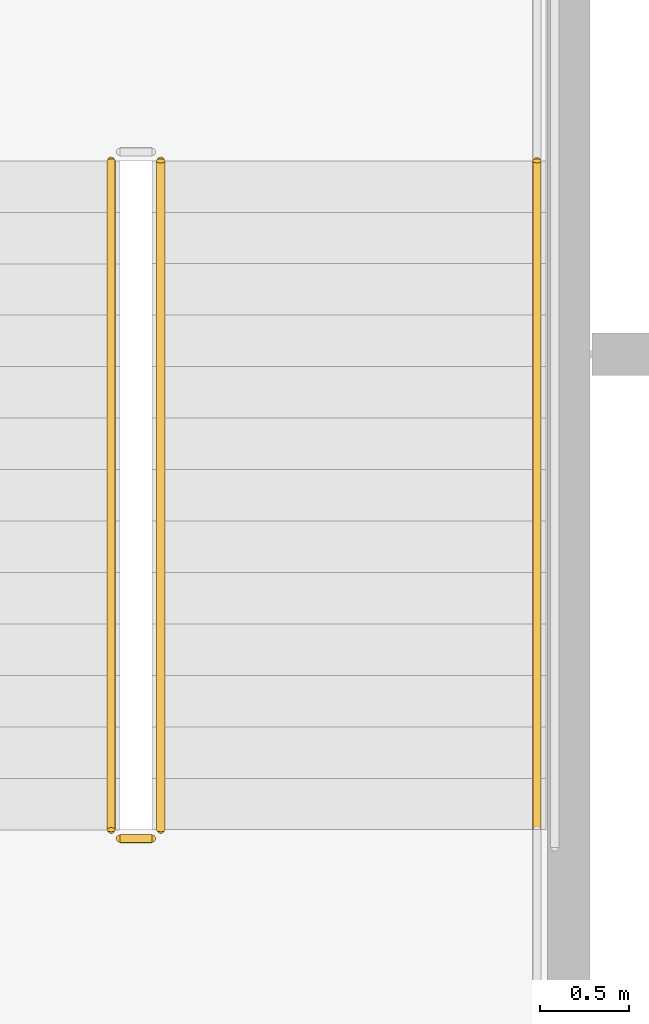
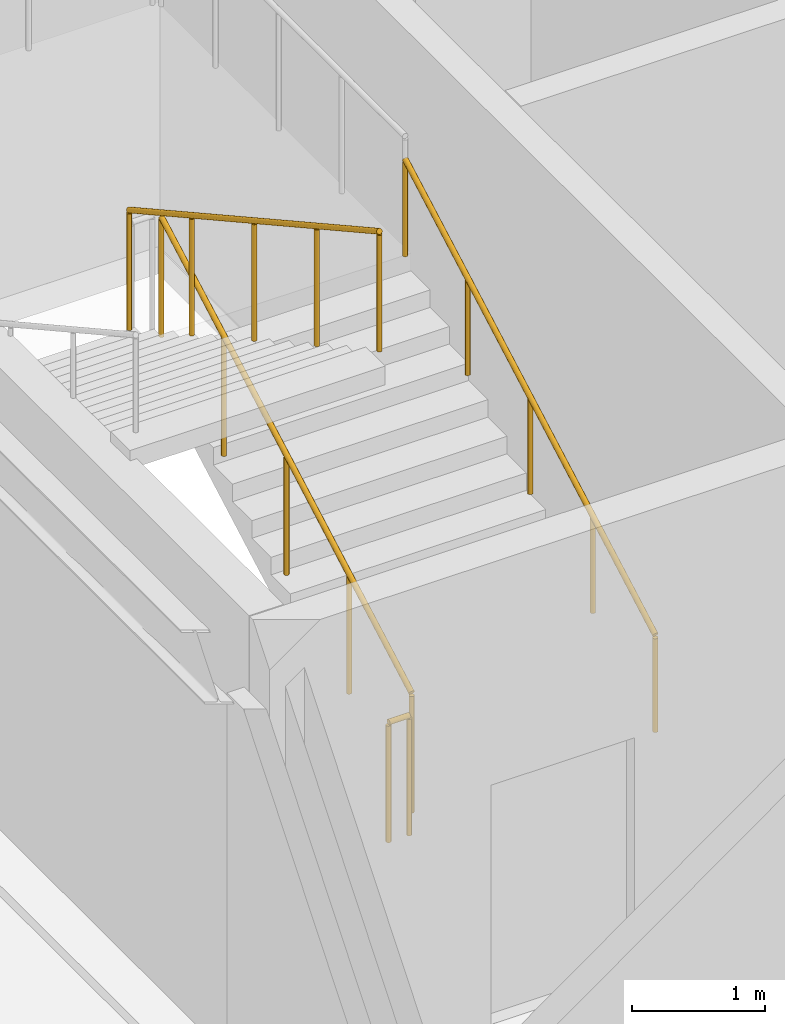
# One storey, part 73 of 77: 4 railings.
"""IFC4 building model written with IfcOpenShell, lengths in metres."""

import ifcopenshell
import ifcopenshell.guid

model = None  # the IFC model being written
_history = None  # IfcOwnerHistory: only IFC2X3 demands one
_inside = {}  # id of a spatial element -> (the spatial element, [elements in it])
_under = {}  # id of a project, library or spatial element -> (it, [spatial elements below it])
_declared = {}  # id of a project -> (the project, [libraries it declares])
_typed = {}  # id of a type object -> (the type object, [elements of that type])
_made_of = {}  # id of a material, layer set ... -> (it, [elements and type objects made of it])


def new_model(schema):
    """Start an empty IFC model of exactly this schema.

    Asked for "IFC4X3", IfcOpenShell would pick the latest addendum, in which some entities
    have other attributes; the version numbers below select the first issue.
    IFC2X3 requires an IfcOwnerHistory on every rooted entity: one is made here for all.
    """
    global model, _history
    if schema == "IFC4X3":
        model = ifcopenshell.file(schema_version=(4, 3, 0, 0))
    else:
        model = ifcopenshell.file(schema=schema)
    _inside.clear()
    _under.clear()
    _declared.clear()
    _typed.clear()
    _made_of.clear()
    _history = None
    if model.schema == "IFC2X3":
        org = make("IfcOrganization", Name="unknown")
        user = make(
            "IfcPersonAndOrganization",
            ThePerson=make("IfcPerson", FamilyName="unknown"),
            TheOrganization=org,
        )
        app = make(
            "IfcApplication",
            ApplicationDeveloper=org,
            Version="unknown",
            ApplicationFullName="unknown",
            ApplicationIdentifier="unknown",
        )
        _history = make(
            "IfcOwnerHistory",
            OwningUser=user,
            OwningApplication=app,
            ChangeAction="ADDED",
            CreationDate=0,
        )
    return model


def make(cls, **values):
    """One entity of the class cls with the attributes given. An attribute that is None is left unset."""
    return model.create_entity(
        cls, **{name: value for name, value in values.items() if value is not None}
    )


def rooted(cls, **values):
    """An entity with a GlobalId (a new one), such as an element, a storey or a relation."""
    return make(cls, GlobalId=ifcopenshell.guid.new(), OwnerHistory=_history, **values)


def si_unit(unit_type, name, prefix=None):
    """IfcSIUnit, for example si_unit("LENGTHUNIT", "METRE", prefix="MILLI")."""
    return make("IfcSIUnit", UnitType=unit_type, Prefix=prefix, Name=name)


def assignment(units):
    """IfcUnitAssignment: the units of a project."""
    return None if units is None else make("IfcUnitAssignment", Units=units)


def point(xyz):
    """IfcCartesianPoint."""
    return None if xyz is None else make("IfcCartesianPoint", Coordinates=xyz)


def direction(xyz):
    """IfcDirection."""
    return None if xyz is None else make("IfcDirection", DirectionRatios=xyz)


def frame(location, z_axis=None, x_axis=None):
    """IfcAxis2Placement3D, a coordinate frame: its origin and axes. An axis left out is left unset."""
    return make(
        "IfcAxis2Placement3D",
        Location=point(location),
        Axis=direction(z_axis),
        RefDirection=direction(x_axis),
    )


def frame_2d(location, x_axis=None):
    """IfcAxis2Placement2D, a coordinate frame in the plane: its origin and x axis."""
    return make(
        "IfcAxis2Placement2D", Location=point(location), RefDirection=direction(x_axis)
    )


def origin():
    """The frame at (0, 0, 0) with its axes left unset."""
    return frame((0.0, 0.0, 0.0))


def origin_2d():
    """The frame at (0, 0) in the plane with its x axis left unset."""
    return frame_2d((0.0, 0.0))


def place(relative_to, where):
    """IfcLocalPlacement: puts the frame where relative to a parent placement (None: the world)."""
    return make(
        "IfcLocalPlacement", PlacementRelTo=relative_to, RelativePlacement=where
    )


def context(
    kind, dimensions, precision=None, world=None, true_north=None, identifier=None
):
    """IfcGeometricRepresentationContext, for example the 3D "Model" context."""
    return make(
        "IfcGeometricRepresentationContext",
        ContextIdentifier=identifier,
        ContextType=kind,
        CoordinateSpaceDimension=dimensions,
        Precision=precision,
        WorldCoordinateSystem=world,
        TrueNorth=true_north,
    )


def subcontext(parent, identifier, kind, view, scale=None):
    """IfcGeometricRepresentationSubContext, for example "Body" below "Model"."""
    return make(
        "IfcGeometricRepresentationSubContext",
        ContextIdentifier=identifier,
        ContextType=kind,
        ParentContext=parent,
        TargetScale=scale,
        TargetView=view,
    )


def project(units=None, contexts=None):
    """IfcProject with its units and contexts."""
    return rooted(
        "IfcProject",
        Name="project",
        RepresentationContexts=contexts,
        UnitsInContext=assignment(units),
    )


def spatial(cls, under=None, at=None, **own):
    """A site, building, storey or space (cls), placed at a placement, below another one or the project."""
    s = rooted(cls, ObjectPlacement=at, **own)
    if under is not None:
        _under.setdefault(under.id(), (under, []))[1].append(s)
    return s


def profile(cls, at=None, kind="AREA", **sizes):
    """A parametric profile (cls). Its sizes go by their IFC names, for example OverallWidth=200.0."""
    return make(cls, ProfileType=kind, Position=at, **sizes)


def circle(**sizes):
    """IfcCircleProfileDef."""
    return profile("IfcCircleProfileDef", **sizes)


def extrude(swept, where, along, depth):
    """IfcExtrudedAreaSolid: the profile swept, set in the frame where, extruded along a direction by depth."""
    return make(
        "IfcExtrudedAreaSolid",
        SweptArea=swept,
        Position=where,
        ExtrudedDirection=direction(along),
        Depth=depth,
    )


def shape(context_of_items, identifier, shape_type, items):
    """IfcShapeRepresentation: the items that make up one representation, for example the "Body"."""
    return make(
        "IfcShapeRepresentation",
        ContextOfItems=context_of_items,
        RepresentationIdentifier=identifier,
        RepresentationType=shape_type,
        Items=items,
    )


def material(Name=None, Category=None):
    """IfcMaterial."""
    return make("IfcMaterial", Name=Name, Category=Category)


def layer(
    of_material, thickness, ventilated=None, Name=None, Category=None, Priority=None
):
    """IfcMaterialLayer: one layer of a wall or slab, of a material (None: an air gap)."""
    return make(
        "IfcMaterialLayer",
        Material=of_material,
        LayerThickness=thickness,
        IsVentilated=ventilated,
        Name=Name,
        Category=Category,
        Priority=Priority,
    )


def layer_set(layers, Name=None):
    """IfcMaterialLayerSet."""
    return make("IfcMaterialLayerSet", MaterialLayers=layers, LayerSetName=Name)


def made_of(thing, what):
    """Note that an element or type object is made of a material, layer set ...; save() writes the relation."""
    if what is not None:
        _made_of.setdefault(what.id(), (what, []))[1].append(thing)
    return thing


def type_object(cls, material=None, **own):
    """A type object (cls), such as IfcWallType, which elements share."""
    return made_of(rooted(cls, **own), material)


def element(
    cls,
    number,
    at=None,
    inside=None,
    cuts=None,
    type_object=None,
    material=None,
    context=None,
    identifier="Body",
    shape_type=None,
    held_by="IfcProductDefinitionShape",
    body=None,
    shapes=None,
    **own,
):
    """One element of the class cls, such as IfcWall. Its Tag is "e" and its number.

    at: its placement. inside: the storey or other place that contains it. cuts: it is an
    opening in that element (IfcRelVoidsElement). A single representation is given by context,
    identifier, shape_type and body (its items); several are given by shapes. held_by: the class
    of the entity that holds the representations. save() writes the other relations.
    """
    e = rooted(cls, Tag="e%d" % number, ObjectPlacement=at, **own)
    if body is not None:
        shapes = [shape(context, identifier, shape_type, body)]
    if shapes is not None:
        e.Representation = make(held_by, Representations=shapes)
    if inside is not None:
        _inside.setdefault(inside.id(), (inside, []))[1].append(e)
    if cuts is not None:
        rooted(
            "IfcRelVoidsElement", RelatingBuildingElement=cuts, RelatedOpeningElement=e
        )
    if type_object is not None:
        _typed.setdefault(type_object.id(), (type_object, []))[1].append(e)
    return made_of(e, material)


def aggregate(whole, parts):
    """IfcRelAggregates: a whole, such as a stair, and the parts it consists of."""
    return rooted("IfcRelAggregates", RelatingObject=whole, RelatedObjects=parts)


def save(model, path):
    """Write the relations noted so far, then the file.

    IfcRelAggregates (storeys below a building ...), IfcRelContainedInSpatialStructure (elements
    in a storey), IfcRelDefinesByType, IfcRelAssociatesMaterial and IfcRelDeclares: one each for
    every whole, place, type object, material and project.
    """
    for whole, parts in _under.values():
        aggregate(whole, parts)
    for where, things in _inside.values():
        rooted(
            "IfcRelContainedInSpatialStructure",
            RelatedElements=things,
            RelatingStructure=where,
        )
    for kind, things in _typed.values():
        rooted("IfcRelDefinesByType", RelatedObjects=things, RelatingType=kind)
    for what, things in _made_of.values():
        rooted("IfcRelAssociatesMaterial", RelatedObjects=things, RelatingMaterial=what)
    for by, libraries in _declared.values():
        rooted("IfcRelDeclares", RelatingContext=by, RelatedDefinitions=libraries)
    model.write(path)


model = new_model("IFC4")

# Units and contexts
model_context = context("Model", 3, precision=1e-05, world=origin(), true_north=direction((0.0, 1.0)))
body_context = subcontext(model_context, "Body", "Model", "MODEL_VIEW")
ifc_project = project(units=[si_unit("LENGTHUNIT", "METRE"), si_unit("AREAUNIT", "SQUARE_METRE"), si_unit("VOLUMEUNIT", "CUBIC_METRE"), si_unit("PLANEANGLEUNIT", "RADIAN"), si_unit("MASSUNIT", "GRAM", prefix="KILO")], contexts=[model_context])

# Site, building, storey
site_placement = place(None, origin())
site = spatial("IfcSite", under=ifc_project, at=site_placement, CompositionType="ELEMENT")
building_placement = place(site_placement, origin())
building = spatial("IfcBuilding", under=site, at=building_placement, Name="Sarnbrook Museum", CompositionType="ELEMENT")
storey_placement = place(building_placement, frame((0.0, 0.0, 5.60009765625)))
storey = spatial("IfcBuildingStorey", under=building, at=storey_placement, Name="L01", CompositionType="ELEMENT", Elevation=5.60009765625)

# Railings
ifc_material = material(Name="Brushed Stainless Steel Grade 316", Category="steel")
ifc_layer_1 = layer(ifc_material, 0.050048828125)
ifc_layer_set_1 = layer_set([ifc_layer_1], Name="Brushed Stainless Steel Grade 316")
railing_type_1 = type_object("IfcRailingType", Name="Guard_Int1120", PredefinedType="BALUSTRADE", material=ifc_layer_set_1)
railing_1_placement = place(storey_placement, frame((83.889892578125, 97.1201171875, 0.16064453125)))
element("IfcRailing", 1, at=railing_1_placement, inside=storey, type_object=railing_type_1, Name="L01 ST4 stair guard 1", PredefinedType="BALUSTRADE", context=body_context, shape_type="SweptSolid", body=[
    extrude(circle(Radius=0.02392578125, at=origin_2d()), frame((0.0, 0.0, 1.09619140625), z_axis=(0.0, 0.874645791573, 0.484762559697), x_axis=(-1.0, 0.0, 0.0)), (0.0, 0.0, 1.0), 4.31005859375),
    extrude(circle(Radius=0.02099609375, at=origin_2d()), origin(), (0.0, 0.0, 1.0), 1.072021484375),
    extrude(circle(Radius=0.02099609375, at=origin_2d()), frame((0.0, 0.9423828125, 0.5224609375)), (0.0, 0.0, 1.0), 1.072021484375),
    extrude(circle(Radius=0.02099609375, at=origin_2d()), frame((0.0, 1.884765625, 1.044677734375)), (0.0, 0.0, 1.0), 1.072021484375),
    extrude(circle(Radius=0.02099609375, at=origin_2d()), frame((0.0, 2.827392578125, 1.56689453125)), (0.0, 0.0, 1.0), 1.072021484375),
    extrude(circle(Radius=0.02099609375, at=origin_2d()), frame((0.0, 3.769775390625, 2.08935546875)), (0.0, 0.0, 1.0), 1.072021484375),
])
railing_2_placement = place(storey_placement, frame((83.610107421875, 100.889892578125, 2.41064453125)))
element("IfcRailing", 2, at=railing_2_placement, inside=storey, type_object=railing_type_1, Name="L01 ST4 stair guard 6", PredefinedType="BALUSTRADE", context=body_context, shape_type="SweptSolid", body=[
    extrude(circle(Radius=0.02392578125, at=origin_2d()), frame((0.0, 0.0, 1.09619140625), z_axis=(0.0, -0.874645791573, 0.484762559697), x_axis=(1.0, 0.0, 0.0)), (0.0, 0.0, 1.0), 4.31005859375),
    extrude(circle(Radius=0.02099609375, at=origin_2d()), origin(), (0.0, 0.0, 1.0), 1.072021484375),
    extrude(circle(Radius=0.02099609375, at=origin_2d()), frame((0.0, -0.9423828125, 0.5224609375)), (0.0, 0.0, 1.0), 1.072021484375),
    extrude(circle(Radius=0.02099609375, at=origin_2d()), frame((0.0, -1.884765625, 1.044677734375)), (0.0, 0.0, 1.0), 1.072021484375),
    extrude(circle(Radius=0.02099609375, at=origin_2d()), frame((0.0, -2.827392578125, 1.56689453125)), (0.0, 0.0, 1.0), 1.072021484375),
    extrude(circle(Radius=0.02099609375, at=origin_2d()), frame((0.0, -3.769775390625, 2.08935546875)), (0.0, 0.0, 1.0), 1.072021484375),
])
railing_3_placement = place(storey_placement, frame((83.840087890625, 97.070068359375, 0.0)))
element("IfcRailing", 3, at=railing_3_placement, inside=storey, type_object=railing_type_1, Name="L01 ST4 stair guard 7", PredefinedType="BALUSTRADE", context=body_context, shape_type="SweptSolid", body=[
    extrude(circle(Radius=0.02392578125, at=origin_2d()), frame((0.0, 0.0, 1.09619140625), z_axis=(-1.0, 0.0, 0.0), x_axis=(0.0, -1.0, 0.0)), (0.0, 0.0, 1.0), 0.18017578125),
    extrude(circle(Radius=0.02099609375, at=origin_2d()), origin(), (0.0, 0.0, 1.0), 1.072021484375),
    extrude(circle(Radius=0.02099609375, at=origin_2d()), frame((-0.18017578125, 0.0, 0.0)), (0.0, 0.0, 1.0), 1.072021484375),
])
ifc_layer_2 = layer(ifc_material, 0.048095703125)
ifc_layer_set_2 = layer_set([ifc_layer_2], Name="Brushed Stainless Steel Grade 316")
railing_type_2 = type_object("IfcRailingType", Name="Handrail_920", PredefinedType="HANDRAIL", material=ifc_layer_set_2)
railing_4_placement = place(storey_placement, frame((86.010009765625, 97.1201171875, 0.16064453125)))
element("IfcRailing", 4, at=railing_4_placement, inside=storey, type_object=railing_type_2, Name="L01 ST4 stair handrail 1", PredefinedType="HANDRAIL", context=body_context, shape_type="SweptSolid", body=[
    extrude(circle(Radius=0.02392578125, at=origin_2d()), frame((0.0, 0.0, 0.8857421875), z_axis=(0.0, 0.874645791573, 0.484762559697), x_axis=(-1.0, 0.0, 0.0)), (0.0, 0.0, 1.0), 4.31005859375),
    extrude(circle(Radius=0.02099609375, at=origin_2d()), origin(), (0.0, 0.0, 1.0), 0.86181640625),
    extrude(circle(Radius=0.02099609375, at=origin_2d()), frame((0.0, 0.9423828125, 0.5224609375)), (0.0, 0.0, 1.0), 0.86181640625),
    extrude(circle(Radius=0.02099609375, at=origin_2d()), frame((0.0, 1.884765625, 1.044677734375)), (0.0, 0.0, 1.0), 0.86181640625),
    extrude(circle(Radius=0.02099609375, at=origin_2d()), frame((0.0, 2.827392578125, 1.56689453125)), (0.0, 0.0, 1.0), 0.86181640625),
    extrude(circle(Radius=0.02099609375, at=origin_2d()), frame((0.0, 3.769775390625, 2.08935546875)), (0.0, 0.0, 1.0), 0.86181640625),
])

save(model, "model.ifc")
